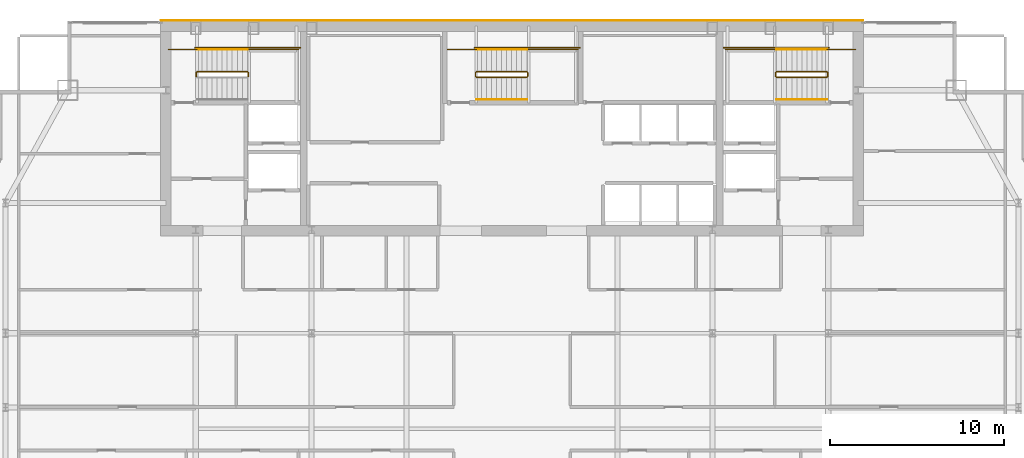
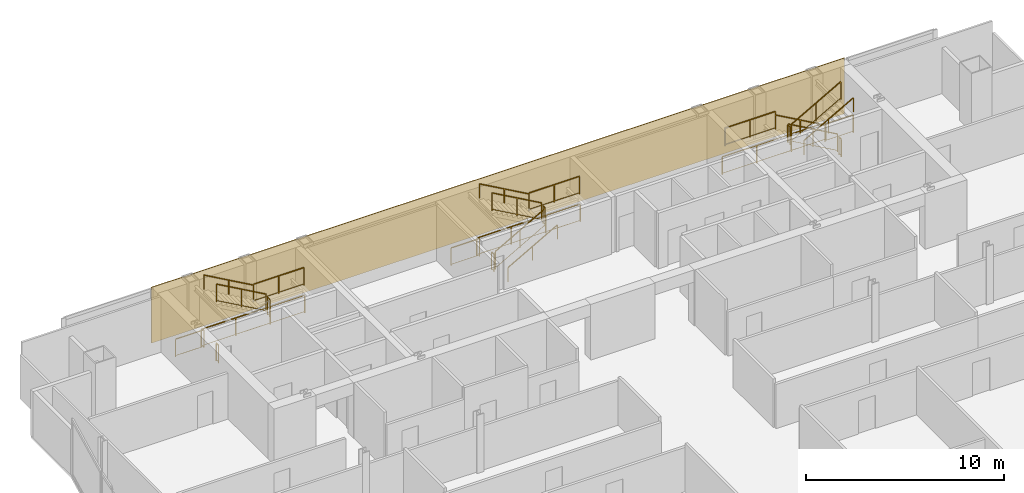
# One storey, part 30 of 30: 25 railings, 1 covering.
"""IFC4 building model written with IfcOpenShell, lengths in metres."""

import ifcopenshell
import ifcopenshell.guid

model = None  # the IFC model being written
_history = None  # IfcOwnerHistory: only IFC2X3 demands one
_inside = {}  # id of a spatial element -> (the spatial element, [elements in it])
_under = {}  # id of a project, library or spatial element -> (it, [spatial elements below it])
_declared = {}  # id of a project -> (the project, [libraries it declares])
_typed = {}  # id of a type object -> (the type object, [elements of that type])
_made_of = {}  # id of a material, layer set ... -> (it, [elements and type objects made of it])


def new_model(schema):
    """Start an empty IFC model of exactly this schema.

    Asked for "IFC4X3", IfcOpenShell would pick the latest addendum, in which some entities
    have other attributes; the version numbers below select the first issue.
    IFC2X3 requires an IfcOwnerHistory on every rooted entity: one is made here for all.
    """
    global model, _history
    if schema == "IFC4X3":
        model = ifcopenshell.file(schema_version=(4, 3, 0, 0))
    else:
        model = ifcopenshell.file(schema=schema)
    _inside.clear()
    _under.clear()
    _declared.clear()
    _typed.clear()
    _made_of.clear()
    _history = None
    if model.schema == "IFC2X3":
        org = make("IfcOrganization", Name="unknown")
        user = make(
            "IfcPersonAndOrganization",
            ThePerson=make("IfcPerson", FamilyName="unknown"),
            TheOrganization=org,
        )
        app = make(
            "IfcApplication",
            ApplicationDeveloper=org,
            Version="unknown",
            ApplicationFullName="unknown",
            ApplicationIdentifier="unknown",
        )
        _history = make(
            "IfcOwnerHistory",
            OwningUser=user,
            OwningApplication=app,
            ChangeAction="ADDED",
            CreationDate=0,
        )
    return model


def make(cls, **values):
    """One entity of the class cls with the attributes given. An attribute that is None is left unset."""
    return model.create_entity(
        cls, **{name: value for name, value in values.items() if value is not None}
    )


def rooted(cls, **values):
    """An entity with a GlobalId (a new one), such as an element, a storey or a relation."""
    return make(cls, GlobalId=ifcopenshell.guid.new(), OwnerHistory=_history, **values)


def si_unit(unit_type, name, prefix=None):
    """IfcSIUnit, for example si_unit("LENGTHUNIT", "METRE", prefix="MILLI")."""
    return make("IfcSIUnit", UnitType=unit_type, Prefix=prefix, Name=name)


def assignment(units):
    """IfcUnitAssignment: the units of a project."""
    return None if units is None else make("IfcUnitAssignment", Units=units)


def point(xyz):
    """IfcCartesianPoint."""
    return None if xyz is None else make("IfcCartesianPoint", Coordinates=xyz)


def direction(xyz):
    """IfcDirection."""
    return None if xyz is None else make("IfcDirection", DirectionRatios=xyz)


def frame(location, z_axis=None, x_axis=None):
    """IfcAxis2Placement3D, a coordinate frame: its origin and axes. An axis left out is left unset."""
    return make(
        "IfcAxis2Placement3D",
        Location=point(location),
        Axis=direction(z_axis),
        RefDirection=direction(x_axis),
    )


def frame_2d(location, x_axis=None):
    """IfcAxis2Placement2D, a coordinate frame in the plane: its origin and x axis."""
    return make(
        "IfcAxis2Placement2D", Location=point(location), RefDirection=direction(x_axis)
    )


def origin():
    """The frame at (0, 0, 0) with its axes left unset."""
    return frame((0.0, 0.0, 0.0))


def origin_2d():
    """The frame at (0, 0) in the plane with its x axis left unset."""
    return frame_2d((0.0, 0.0))


def place(relative_to, where):
    """IfcLocalPlacement: puts the frame where relative to a parent placement (None: the world)."""
    return make(
        "IfcLocalPlacement", PlacementRelTo=relative_to, RelativePlacement=where
    )


def context(
    kind, dimensions, precision=None, world=None, true_north=None, identifier=None
):
    """IfcGeometricRepresentationContext, for example the 3D "Model" context."""
    return make(
        "IfcGeometricRepresentationContext",
        ContextIdentifier=identifier,
        ContextType=kind,
        CoordinateSpaceDimension=dimensions,
        Precision=precision,
        WorldCoordinateSystem=world,
        TrueNorth=true_north,
    )


def subcontext(parent, identifier, kind, view, scale=None):
    """IfcGeometricRepresentationSubContext, for example "Body" below "Model"."""
    return make(
        "IfcGeometricRepresentationSubContext",
        ContextIdentifier=identifier,
        ContextType=kind,
        ParentContext=parent,
        TargetScale=scale,
        TargetView=view,
    )


def project(units=None, contexts=None):
    """IfcProject with its units and contexts."""
    return rooted(
        "IfcProject",
        Name="project",
        RepresentationContexts=contexts,
        UnitsInContext=assignment(units),
    )


def spatial(cls, under=None, at=None, **own):
    """A site, building, storey or space (cls), placed at a placement, below another one or the project."""
    s = rooted(cls, ObjectPlacement=at, **own)
    if under is not None:
        _under.setdefault(under.id(), (under, []))[1].append(s)
    return s


def polyline(points):
    """IfcPolyline through the points."""
    return make("IfcPolyline", Points=[point(p) for p in points])


def profile(cls, at=None, kind="AREA", **sizes):
    """A parametric profile (cls). Its sizes go by their IFC names, for example OverallWidth=200.0."""
    return make(cls, ProfileType=kind, Position=at, **sizes)


def rectangle(**sizes):
    """IfcRectangleProfileDef."""
    return profile("IfcRectangleProfileDef", **sizes)


def outline(outer, holes=None, kind="AREA"):
    """IfcArbitraryClosedProfileDef: a profile drawn as a closed curve; with holes, ...WithVoids."""
    if holes is None:
        return make("IfcArbitraryClosedProfileDef", ProfileType=kind, OuterCurve=outer)
    return make(
        "IfcArbitraryProfileDefWithVoids",
        ProfileType=kind,
        OuterCurve=outer,
        InnerCurves=holes,
    )


def extrude(swept, where, along, depth):
    """IfcExtrudedAreaSolid: the profile swept, set in the frame where, extruded along a direction by depth."""
    return make(
        "IfcExtrudedAreaSolid",
        SweptArea=swept,
        Position=where,
        ExtrudedDirection=direction(along),
        Depth=depth,
    )


def shape(context_of_items, identifier, shape_type, items):
    """IfcShapeRepresentation: the items that make up one representation, for example the "Body"."""
    return make(
        "IfcShapeRepresentation",
        ContextOfItems=context_of_items,
        RepresentationIdentifier=identifier,
        RepresentationType=shape_type,
        Items=items,
    )


def material(Name=None, Category=None):
    """IfcMaterial."""
    return make("IfcMaterial", Name=Name, Category=Category)


def layer(
    of_material, thickness, ventilated=None, Name=None, Category=None, Priority=None
):
    """IfcMaterialLayer: one layer of a wall or slab, of a material (None: an air gap)."""
    return make(
        "IfcMaterialLayer",
        Material=of_material,
        LayerThickness=thickness,
        IsVentilated=ventilated,
        Name=Name,
        Category=Category,
        Priority=Priority,
    )


def layer_set(layers, Name=None):
    """IfcMaterialLayerSet."""
    return make("IfcMaterialLayerSet", MaterialLayers=layers, LayerSetName=Name)


def made_of(thing, what):
    """Note that an element or type object is made of a material, layer set ...; save() writes the relation."""
    if what is not None:
        _made_of.setdefault(what.id(), (what, []))[1].append(thing)
    return thing


def type_object(cls, material=None, **own):
    """A type object (cls), such as IfcWallType, which elements share."""
    return made_of(rooted(cls, **own), material)


def element(
    cls,
    number,
    at=None,
    inside=None,
    cuts=None,
    type_object=None,
    material=None,
    context=None,
    identifier="Body",
    shape_type=None,
    held_by="IfcProductDefinitionShape",
    body=None,
    shapes=None,
    **own,
):
    """One element of the class cls, such as IfcWall. Its Tag is "e" and its number.

    at: its placement. inside: the storey or other place that contains it. cuts: it is an
    opening in that element (IfcRelVoidsElement). A single representation is given by context,
    identifier, shape_type and body (its items); several are given by shapes. held_by: the class
    of the entity that holds the representations. save() writes the other relations.
    """
    e = rooted(cls, Tag="e%d" % number, ObjectPlacement=at, **own)
    if body is not None:
        shapes = [shape(context, identifier, shape_type, body)]
    if shapes is not None:
        e.Representation = make(held_by, Representations=shapes)
    if inside is not None:
        _inside.setdefault(inside.id(), (inside, []))[1].append(e)
    if cuts is not None:
        rooted(
            "IfcRelVoidsElement", RelatingBuildingElement=cuts, RelatedOpeningElement=e
        )
    if type_object is not None:
        _typed.setdefault(type_object.id(), (type_object, []))[1].append(e)
    return made_of(e, material)


def aggregate(whole, parts):
    """IfcRelAggregates: a whole, such as a stair, and the parts it consists of."""
    return rooted("IfcRelAggregates", RelatingObject=whole, RelatedObjects=parts)


def save(model, path):
    """Write the relations noted so far, then the file.

    IfcRelAggregates (storeys below a building ...), IfcRelContainedInSpatialStructure (elements
    in a storey), IfcRelDefinesByType, IfcRelAssociatesMaterial and IfcRelDeclares: one each for
    every whole, place, type object, material and project.
    """
    for whole, parts in _under.values():
        aggregate(whole, parts)
    for where, things in _inside.values():
        rooted(
            "IfcRelContainedInSpatialStructure",
            RelatedElements=things,
            RelatingStructure=where,
        )
    for kind, things in _typed.values():
        rooted("IfcRelDefinesByType", RelatedObjects=things, RelatingType=kind)
    for what, things in _made_of.values():
        rooted("IfcRelAssociatesMaterial", RelatedObjects=things, RelatingMaterial=what)
    for by, libraries in _declared.values():
        rooted("IfcRelDeclares", RelatingContext=by, RelatedDefinitions=libraries)
    model.write(path)


model = new_model("IFC4")

# Units and contexts
model_context = context("Model", 3, precision=1e-05, world=origin(), true_north=direction((0.0, 1.0)))
body_context = subcontext(model_context, "Body", "Model", "MODEL_VIEW")
ifc_project = project(units=[si_unit("LENGTHUNIT", "METRE"), si_unit("AREAUNIT", "SQUARE_METRE"), si_unit("VOLUMEUNIT", "CUBIC_METRE"), si_unit("PLANEANGLEUNIT", "RADIAN"), si_unit("MASSUNIT", "GRAM", prefix="KILO")], contexts=[model_context])

# Site, building, storey
site_placement = place(None, origin())
site = spatial("IfcSite", under=ifc_project, at=site_placement, CompositionType="ELEMENT")
building_placement = place(site_placement, origin())
building = spatial("IfcBuilding", under=site, at=building_placement, Name="Khoronbel Lancet Exchange", CompositionType="ELEMENT")
storey_placement = place(building_placement, frame((0.0, 0.0, 213.800048828125)))
storey = spatial("IfcBuildingStorey", under=building, at=storey_placement, Name="L54", CompositionType="ELEMENT", Elevation=213.800048828125)

# Covering
ifc_material_1 = material(Name="Honed Egyptian Limestone & Bronze Rainscreen", Category="masonry")
ifc_layer = layer(ifc_material_1, 0.050048828125, Name="Honed Egyptian Limestone & Bronze Rainscreen")
ifc_layer_set = layer_set([ifc_layer], Name="Honed Egyptian Limestone & Bronze Rainscreen")
covering_type = type_object("IfcCoveringType", Name="COV-CLAD1", PredefinedType="CLADDING", material=ifc_layer_set)
covering_placement = place(storey_placement, origin())
element("IfcCovering", 1, at=covering_placement, inside=storey, type_object=covering_type, Name="Level L54 north rear-core stone and bronze rainscreen cladding", PredefinedType="CLADDING", context=body_context, shape_type="SweptSolid", body=[
    extrude(outline(polyline([(16.199951171875, 53.699951171875), (56.699951171875, 53.699951171875), (56.699951171875, 53.75), (16.199951171875, 53.75), (16.199951171875, 53.699951171875)])), origin(), (0.0, 0.0, 1.0), 3.43994140625),
])

# Railings
ifc_material_2 = material(Name="Painted Steel Balustrade", Category="steel")
railing_type_1 = type_object("IfcRailingType", Name="RL-STG110", PredefinedType="GUARDRAIL", material=ifc_material_2)
railing_1_placement = place(storey_placement, frame((21.25, 50.5, 1.800048828125)))
element("IfcRailing", 2, at=railing_1_placement, inside=storey, type_object=railing_type_1, Name="L54 ST1 stair guard 2", PredefinedType="GUARDRAIL", context=body_context, shape_type="SweptSolid", body=[
    extrude(rectangle(XDim=0.048095703125, YDim=0.048095703125, at=origin_2d()), frame((0.0, 0.0, 1.09619140625), z_axis=(0.0, 1.0, 0.0), x_axis=(-1.0, 0.0, 0.0)), (0.0, 0.0, 1.0), 0.219970703125),
    extrude(rectangle(XDim=0.02392578125, YDim=0.02392578125, at=origin_2d()), frame((0.0, 0.0, 0.080078125), z_axis=(0.0, 1.0, 0.0), x_axis=(-1.0, 0.0, 0.0)), (0.0, 0.0, 1.0), 0.219970703125),
    extrude(rectangle(XDim=0.0419921875, YDim=0.0419921875, at=origin_2d()), origin(), (0.0, 0.0, 1.0), 1.072021484375),
    extrude(rectangle(XDim=0.0419921875, YDim=0.0419921875, at=origin_2d()), frame((0.0, 0.219970703125, 0.0)), (0.0, 0.0, 1.0), 1.072021484375),
])
railing_2_placement = place(storey_placement, frame((21.199951171875, 52.050048828125, 1.800048828125)))
element("IfcRailing", 3, at=railing_2_placement, inside=storey, type_object=railing_type_1, Name="L54 ST1 stair guard 3", PredefinedType="GUARDRAIL", context=body_context, shape_type="SweptSolid", body=[
    extrude(rectangle(XDim=0.048095703125, YDim=0.048095703125, at=origin_2d()), frame((0.0, 0.0, 1.09619140625), z_axis=(1.0, 0.0, 0.0), x_axis=(0.0, 1.0, 0.0)), (0.0, 0.0, 1.0), 2.949951171875),
    extrude(rectangle(XDim=0.02392578125, YDim=0.02392578125, at=origin_2d()), frame((0.0, 0.0, 0.080078125), z_axis=(1.0, 0.0, 0.0), x_axis=(0.0, 1.0, 0.0)), (0.0, 0.0, 1.0), 2.949951171875),
    extrude(rectangle(XDim=0.0419921875, YDim=0.0419921875, at=origin_2d()), origin(), (0.0, 0.0, 1.0), 1.072021484375),
    extrude(rectangle(XDim=0.0419921875, YDim=0.0419921875, at=origin_2d()), frame((1.47509765625, 0.0, 0.0)), (0.0, 0.0, 1.0), 1.072021484375),
    extrude(rectangle(XDim=0.0419921875, YDim=0.0419921875, at=origin_2d()), frame((2.949951171875, 0.0, 0.0)), (0.0, 0.0, 1.0), 1.072021484375),
])
railing_3_placement = place(storey_placement, frame((21.199951171875, 50.77001953125, 1.963623046875)))
element("IfcRailing", 4, at=railing_3_placement, inside=storey, type_object=railing_type_1, Name="L54 ST1 stair guard 4", PredefinedType="GUARDRAIL", context=body_context, shape_type="SweptSolid", body=[
    extrude(rectangle(XDim=0.048095703125, YDim=0.048095703125, at=origin_2d()), frame((0.0, 0.0, 1.09619140625), z_axis=(-0.870928581787, 0.0, 0.491409610636), x_axis=(0.0, -1.0, 0.0)), (0.0, 0.0, 1.0), 3.32958984375),
    extrude(rectangle(XDim=0.02392578125, YDim=0.02392578125, at=origin_2d()), frame((0.0, 0.0, 0.080078125), z_axis=(-0.870928581787, 0.0, 0.491409610636), x_axis=(0.0, -1.0, 0.0)), (0.0, 0.0, 1.0), 3.32958984375),
    extrude(rectangle(XDim=0.0419921875, YDim=0.0419921875, at=origin_2d()), origin(), (0.0, 0.0, 1.0), 1.072021484375),
    extrude(rectangle(XDim=0.0419921875, YDim=0.0419921875, at=origin_2d()), frame((-1.449951171875, 0.0, 0.818115234375)), (0.0, 0.0, 1.0), 1.072021484375),
    extrude(rectangle(XDim=0.0419921875, YDim=0.0419921875, at=origin_2d()), frame((-2.89990234375, 0.0, 1.63623046875)), (0.0, 0.0, 1.0), 1.072021484375),
])
railing_4_placement = place(storey_placement, frame((18.25, 50.5, 0.0)))
element("IfcRailing", 5, at=railing_4_placement, inside=storey, type_object=railing_type_1, Name="L54 ST1 stair guard 5", PredefinedType="GUARDRAIL", context=body_context, shape_type="SweptSolid", body=[
    extrude(rectangle(XDim=0.048095703125, YDim=0.048095703125, at=origin_2d()), frame((0.0, 0.0, 1.09619140625), z_axis=(0.0, 1.0, 0.0), x_axis=(-1.0, 0.0, 0.0)), (0.0, 0.0, 1.0), 0.219970703125),
    extrude(rectangle(XDim=0.02392578125, YDim=0.02392578125, at=origin_2d()), frame((0.0, 0.0, 0.080078125), z_axis=(0.0, 1.0, 0.0), x_axis=(-1.0, 0.0, 0.0)), (0.0, 0.0, 1.0), 0.219970703125),
    extrude(rectangle(XDim=0.0419921875, YDim=0.0419921875, at=origin_2d()), origin(), (0.0, 0.0, 1.0), 1.072021484375),
    extrude(rectangle(XDim=0.0419921875, YDim=0.0419921875, at=origin_2d()), frame((0.0, 0.219970703125, 0.0)), (0.0, 0.0, 1.0), 1.072021484375),
])
railing_5_placement = place(storey_placement, frame((16.64990234375, 52.050048828125, 0.0)))
element("IfcRailing", 6, at=railing_5_placement, inside=storey, type_object=railing_type_1, Name="L54 ST1 stair guard 6", PredefinedType="GUARDRAIL", context=body_context, shape_type="SweptSolid", body=[
    extrude(rectangle(XDim=0.048095703125, YDim=0.048095703125, at=origin_2d()), frame((0.0, 0.0, 1.09619140625), z_axis=(1.0, 0.0, 0.0), x_axis=(0.0, 1.0, 0.0)), (0.0, 0.0, 1.0), 1.650146484375),
    extrude(rectangle(XDim=0.02392578125, YDim=0.02392578125, at=origin_2d()), frame((0.0, 0.0, 0.080078125), z_axis=(1.0, 0.0, 0.0), x_axis=(0.0, 1.0, 0.0)), (0.0, 0.0, 1.0), 1.650146484375),
    extrude(rectangle(XDim=0.0419921875, YDim=0.0419921875, at=origin_2d()), origin(), (0.0, 0.0, 1.0), 1.072021484375),
    extrude(rectangle(XDim=0.0419921875, YDim=0.0419921875, at=origin_2d()), frame((1.650146484375, 0.0, 0.0)), (0.0, 0.0, 1.0), 1.072021484375),
])
railing_6_placement = place(storey_placement, frame((18.199951171875, 52.14990234375, 0.0)))
element("IfcRailing", 7, at=railing_6_placement, inside=storey, type_object=railing_type_1, Name="L54 ST1 stair guard 7", PredefinedType="GUARDRAIL", context=body_context, shape_type="SweptSolid", body=[
    extrude(rectangle(XDim=0.048095703125, YDim=0.048095703125, at=origin_2d()), frame((0.0, 0.0, 1.09619140625), z_axis=(1.0, 0.0, 0.0), x_axis=(0.0, 1.0, 0.0)), (0.0, 0.0, 1.0), 6.050048828125),
    extrude(rectangle(XDim=0.02392578125, YDim=0.02392578125, at=origin_2d()), frame((0.0, 0.0, 0.080078125), z_axis=(1.0, 0.0, 0.0), x_axis=(0.0, 1.0, 0.0)), (0.0, 0.0, 1.0), 6.050048828125),
    extrude(rectangle(XDim=0.0419921875, YDim=0.0419921875, at=origin_2d()), origin(), (0.0, 0.0, 1.0), 1.072021484375),
    extrude(rectangle(XDim=0.0419921875, YDim=0.0419921875, at=origin_2d()), frame((2.0166015625, 0.0, 0.0)), (0.0, 0.0, 1.0), 1.072021484375),
    extrude(rectangle(XDim=0.0419921875, YDim=0.0419921875, at=origin_2d()), frame((4.033447265625, 0.0, 0.0)), (0.0, 0.0, 1.0), 1.072021484375),
    extrude(rectangle(XDim=0.0419921875, YDim=0.0419921875, at=origin_2d()), frame((6.050048828125, 0.0, 0.0)), (0.0, 0.0, 1.0), 1.072021484375),
])
railing_7_placement = place(storey_placement, frame((54.60009765625, 50.77001953125, 0.16357421875)))
element("IfcRailing", 8, at=railing_7_placement, inside=storey, type_object=railing_type_1, Name="L54 ST2 stair guard 1", PredefinedType="GUARDRAIL", context=body_context, shape_type="SweptSolid", body=[
    extrude(rectangle(XDim=0.048095703125, YDim=0.048095703125, at=origin_2d()), frame((0.0, 0.0, 1.09619140625), z_axis=(-0.870914908162, 0.0, 0.491433843708), x_axis=(0.0, -1.0, 0.0)), (0.0, 0.0, 1.0), 3.330078125),
    extrude(rectangle(XDim=0.02392578125, YDim=0.02392578125, at=origin_2d()), frame((0.0, 0.0, 0.080078125), z_axis=(-0.870914908162, 0.0, 0.491433843708), x_axis=(0.0, -1.0, 0.0)), (0.0, 0.0, 1.0), 3.330078125),
    extrude(rectangle(XDim=0.0419921875, YDim=0.0419921875, at=origin_2d()), origin(), (0.0, 0.0, 1.0), 1.072021484375),
    extrude(rectangle(XDim=0.0419921875, YDim=0.0419921875, at=origin_2d()), frame((-1.4501953125, 0.0, 0.818359375)), (0.0, 0.0, 1.0), 1.072021484375),
    extrude(rectangle(XDim=0.0419921875, YDim=0.0419921875, at=origin_2d()), frame((-2.900146484375, 0.0, 1.636474609375)), (0.0, 0.0, 1.0), 1.072021484375),
])
railing_8_placement = place(storey_placement, frame((51.64990234375, 50.719970703125, 1.800048828125)))
element("IfcRailing", 9, at=railing_8_placement, inside=storey, type_object=railing_type_1, Name="L54 ST2 stair guard 2", PredefinedType="GUARDRAIL", context=body_context, shape_type="SweptSolid", body=[
    extrude(rectangle(XDim=0.048095703125, YDim=0.048095703125, at=origin_2d()), frame((0.0, 0.0, 1.09619140625), z_axis=(0.0, -1.0, 0.0), x_axis=(1.0, 0.0, 0.0)), (0.0, 0.0, 1.0), 0.219970703125),
    extrude(rectangle(XDim=0.02392578125, YDim=0.02392578125, at=origin_2d()), frame((0.0, 0.0, 0.080078125), z_axis=(0.0, -1.0, 0.0), x_axis=(1.0, 0.0, 0.0)), (0.0, 0.0, 1.0), 0.219970703125),
    extrude(rectangle(XDim=0.0419921875, YDim=0.0419921875, at=origin_2d()), origin(), (0.0, 0.0, 1.0), 1.072021484375),
    extrude(rectangle(XDim=0.0419921875, YDim=0.0419921875, at=origin_2d()), frame((0.0, -0.219970703125, 0.0)), (0.0, 0.0, 1.0), 1.072021484375),
])
railing_9_placement = place(storey_placement, frame((51.699951171875, 52.050048828125, 1.800048828125)))
element("IfcRailing", 10, at=railing_9_placement, inside=storey, type_object=railing_type_1, Name="L54 ST2 stair guard 3", PredefinedType="GUARDRAIL", context=body_context, shape_type="SweptSolid", body=[
    extrude(rectangle(XDim=0.048095703125, YDim=0.048095703125, at=origin_2d()), frame((0.0, 0.0, 1.09619140625), z_axis=(-1.0, 0.0, 0.0), x_axis=(0.0, -1.0, 0.0)), (0.0, 0.0, 1.0), 2.949951171875),
    extrude(rectangle(XDim=0.02392578125, YDim=0.02392578125, at=origin_2d()), frame((0.0, 0.0, 0.080078125), z_axis=(-1.0, 0.0, 0.0), x_axis=(0.0, -1.0, 0.0)), (0.0, 0.0, 1.0), 2.949951171875),
    extrude(rectangle(XDim=0.0419921875, YDim=0.0419921875, at=origin_2d()), origin(), (0.0, 0.0, 1.0), 1.072021484375),
    extrude(rectangle(XDim=0.0419921875, YDim=0.0419921875, at=origin_2d()), frame((-1.47509765625, 0.0, 0.0)), (0.0, 0.0, 1.0), 1.072021484375),
    extrude(rectangle(XDim=0.0419921875, YDim=0.0419921875, at=origin_2d()), frame((-2.949951171875, 0.0, 0.0)), (0.0, 0.0, 1.0), 1.072021484375),
])
railing_10_placement = place(storey_placement, frame((51.699951171875, 50.449951171875, 1.963623046875)))
element("IfcRailing", 11, at=railing_10_placement, inside=storey, type_object=railing_type_1, Name="L54 ST2 stair guard 4", PredefinedType="GUARDRAIL", context=body_context, shape_type="SweptSolid", body=[
    extrude(rectangle(XDim=0.048095703125, YDim=0.048095703125, at=origin_2d()), frame((0.0, 0.0, 1.09619140625), z_axis=(0.870946286338, 0.0, 0.49137823142), x_axis=(0.0, 1.0, 0.0)), (0.0, 0.0, 1.0), 3.329833984375),
    extrude(rectangle(XDim=0.02392578125, YDim=0.02392578125, at=origin_2d()), frame((0.0, 0.0, 0.080078125), z_axis=(0.870946286338, 0.0, 0.49137823142), x_axis=(0.0, 1.0, 0.0)), (0.0, 0.0, 1.0), 3.329833984375),
    extrude(rectangle(XDim=0.0419921875, YDim=0.0419921875, at=origin_2d()), origin(), (0.0, 0.0, 1.0), 1.072021484375),
    extrude(rectangle(XDim=0.0419921875, YDim=0.0419921875, at=origin_2d()), frame((1.4501953125, 0.0, 0.818115234375)), (0.0, 0.0, 1.0), 1.072021484375),
    extrude(rectangle(XDim=0.0419921875, YDim=0.0419921875, at=origin_2d()), frame((2.900146484375, 0.0, 1.63623046875)), (0.0, 0.0, 1.0), 1.072021484375),
])
railing_11_placement = place(storey_placement, frame((54.64990234375, 50.719970703125, 0.0)))
element("IfcRailing", 12, at=railing_11_placement, inside=storey, type_object=railing_type_1, Name="L54 ST2 stair guard 5", PredefinedType="GUARDRAIL", context=body_context, shape_type="SweptSolid", body=[
    extrude(rectangle(XDim=0.048095703125, YDim=0.048095703125, at=origin_2d()), frame((0.0, 0.0, 1.09619140625), z_axis=(0.0, -1.0, 0.0), x_axis=(1.0, 0.0, 0.0)), (0.0, 0.0, 1.0), 0.219970703125),
    extrude(rectangle(XDim=0.02392578125, YDim=0.02392578125, at=origin_2d()), frame((0.0, 0.0, 0.080078125), z_axis=(0.0, -1.0, 0.0), x_axis=(1.0, 0.0, 0.0)), (0.0, 0.0, 1.0), 0.219970703125),
    extrude(rectangle(XDim=0.0419921875, YDim=0.0419921875, at=origin_2d()), origin(), (0.0, 0.0, 1.0), 1.072021484375),
    extrude(rectangle(XDim=0.0419921875, YDim=0.0419921875, at=origin_2d()), frame((0.0, -0.219970703125, 0.0)), (0.0, 0.0, 1.0), 1.072021484375),
])
railing_12_placement = place(storey_placement, frame((56.25, 52.050048828125, 0.0)))
element("IfcRailing", 13, at=railing_12_placement, inside=storey, type_object=railing_type_1, Name="L54 ST2 stair guard 6", PredefinedType="GUARDRAIL", context=body_context, shape_type="SweptSolid", body=[
    extrude(rectangle(XDim=0.048095703125, YDim=0.048095703125, at=origin_2d()), frame((0.0, 0.0, 1.09619140625), z_axis=(-1.0, 0.0, 0.0), x_axis=(0.0, -1.0, 0.0)), (0.0, 0.0, 1.0), 1.64990234375),
    extrude(rectangle(XDim=0.02392578125, YDim=0.02392578125, at=origin_2d()), frame((0.0, 0.0, 0.080078125), z_axis=(-1.0, 0.0, 0.0), x_axis=(0.0, -1.0, 0.0)), (0.0, 0.0, 1.0), 1.64990234375),
    extrude(rectangle(XDim=0.0419921875, YDim=0.0419921875, at=origin_2d()), origin(), (0.0, 0.0, 1.0), 1.072021484375),
    extrude(rectangle(XDim=0.0419921875, YDim=0.0419921875, at=origin_2d()), frame((-1.64990234375, 0.0, 0.0)), (0.0, 0.0, 1.0), 1.072021484375),
])
railing_13_placement = place(storey_placement, frame((54.699951171875, 52.14990234375, 0.0)))
element("IfcRailing", 14, at=railing_13_placement, inside=storey, type_object=railing_type_1, Name="L54 ST2 stair guard 7", PredefinedType="GUARDRAIL", context=body_context, shape_type="SweptSolid", body=[
    extrude(rectangle(XDim=0.048095703125, YDim=0.048095703125, at=origin_2d()), frame((0.0, 0.0, 1.09619140625), z_axis=(-1.0, 0.0, 0.0), x_axis=(0.0, -1.0, 0.0)), (0.0, 0.0, 1.0), 6.050048828125),
    extrude(rectangle(XDim=0.02392578125, YDim=0.02392578125, at=origin_2d()), frame((0.0, 0.0, 0.080078125), z_axis=(-1.0, 0.0, 0.0), x_axis=(0.0, -1.0, 0.0)), (0.0, 0.0, 1.0), 6.050048828125),
    extrude(rectangle(XDim=0.0419921875, YDim=0.0419921875, at=origin_2d()), origin(), (0.0, 0.0, 1.0), 1.072021484375),
    extrude(rectangle(XDim=0.0419921875, YDim=0.0419921875, at=origin_2d()), frame((-2.0166015625, 0.0, 0.0)), (0.0, 0.0, 1.0), 1.072021484375),
    extrude(rectangle(XDim=0.0419921875, YDim=0.0419921875, at=origin_2d()), frame((-4.033447265625, 0.0, 0.0)), (0.0, 0.0, 1.0), 1.072021484375),
    extrude(rectangle(XDim=0.0419921875, YDim=0.0419921875, at=origin_2d()), frame((-6.050048828125, 0.0, 0.0)), (0.0, 0.0, 1.0), 1.072021484375),
])
railing_14_placement = place(storey_placement, frame((34.39990234375, 50.449951171875, 0.16357421875)))
element("IfcRailing", 15, at=railing_14_placement, inside=storey, type_object=railing_type_1, Name="L54 ST3 stair guard 1", PredefinedType="GUARDRAIL", context=body_context, shape_type="SweptSolid", body=[
    extrude(rectangle(XDim=0.048095703125, YDim=0.048095703125, at=origin_2d()), frame((0.0, 0.0, 1.09619140625), z_axis=(0.870914908162, 0.0, 0.491433843708), x_axis=(0.0, 1.0, 0.0)), (0.0, 0.0, 1.0), 3.330078125),
    extrude(rectangle(XDim=0.02392578125, YDim=0.02392578125, at=origin_2d()), frame((0.0, 0.0, 0.080078125), z_axis=(0.870914908162, 0.0, 0.491433843708), x_axis=(0.0, 1.0, 0.0)), (0.0, 0.0, 1.0), 3.330078125),
    extrude(rectangle(XDim=0.0419921875, YDim=0.0419921875, at=origin_2d()), origin(), (0.0, 0.0, 1.0), 1.072021484375),
    extrude(rectangle(XDim=0.0419921875, YDim=0.0419921875, at=origin_2d()), frame((1.4501953125, 0.0, 0.818359375)), (0.0, 0.0, 1.0), 1.072021484375),
    extrude(rectangle(XDim=0.0419921875, YDim=0.0419921875, at=origin_2d()), frame((2.900146484375, 0.0, 1.636474609375)), (0.0, 0.0, 1.0), 1.072021484375),
])
railing_15_placement = place(storey_placement, frame((37.35009765625, 50.5, 1.800048828125)))
element("IfcRailing", 16, at=railing_15_placement, inside=storey, type_object=railing_type_1, Name="L54 ST3 stair guard 2", PredefinedType="GUARDRAIL", context=body_context, shape_type="SweptSolid", body=[
    extrude(rectangle(XDim=0.048095703125, YDim=0.048095703125, at=origin_2d()), frame((0.0, 0.0, 1.09619140625), z_axis=(0.0, 1.0, 0.0), x_axis=(-1.0, 0.0, 0.0)), (0.0, 0.0, 1.0), 0.219970703125),
    extrude(rectangle(XDim=0.02392578125, YDim=0.02392578125, at=origin_2d()), frame((0.0, 0.0, 0.080078125), z_axis=(0.0, 1.0, 0.0), x_axis=(-1.0, 0.0, 0.0)), (0.0, 0.0, 1.0), 0.219970703125),
    extrude(rectangle(XDim=0.0419921875, YDim=0.0419921875, at=origin_2d()), origin(), (0.0, 0.0, 1.0), 1.072021484375),
    extrude(rectangle(XDim=0.0419921875, YDim=0.0419921875, at=origin_2d()), frame((0.0, 0.219970703125, 0.0)), (0.0, 0.0, 1.0), 1.072021484375),
])
railing_16_placement = place(storey_placement, frame((37.300048828125, 52.050048828125, 1.800048828125)))
element("IfcRailing", 17, at=railing_16_placement, inside=storey, type_object=railing_type_1, Name="L54 ST3 stair guard 3", PredefinedType="GUARDRAIL", context=body_context, shape_type="SweptSolid", body=[
    extrude(rectangle(XDim=0.048095703125, YDim=0.048095703125, at=origin_2d()), frame((0.0, 0.0, 1.09619140625), z_axis=(1.0, 0.0, 0.0), x_axis=(0.0, 1.0, 0.0)), (0.0, 0.0, 1.0), 2.949951171875),
    extrude(rectangle(XDim=0.02392578125, YDim=0.02392578125, at=origin_2d()), frame((0.0, 0.0, 0.080078125), z_axis=(1.0, 0.0, 0.0), x_axis=(0.0, 1.0, 0.0)), (0.0, 0.0, 1.0), 2.949951171875),
    extrude(rectangle(XDim=0.0419921875, YDim=0.0419921875, at=origin_2d()), origin(), (0.0, 0.0, 1.0), 1.072021484375),
    extrude(rectangle(XDim=0.0419921875, YDim=0.0419921875, at=origin_2d()), frame((1.47509765625, 0.0, 0.0)), (0.0, 0.0, 1.0), 1.072021484375),
    extrude(rectangle(XDim=0.0419921875, YDim=0.0419921875, at=origin_2d()), frame((2.949951171875, 0.0, 0.0)), (0.0, 0.0, 1.0), 1.072021484375),
])
railing_17_placement = place(storey_placement, frame((37.300048828125, 50.77001953125, 1.963623046875)))
element("IfcRailing", 18, at=railing_17_placement, inside=storey, type_object=railing_type_1, Name="L54 ST3 stair guard 4", PredefinedType="GUARDRAIL", context=body_context, shape_type="SweptSolid", body=[
    extrude(rectangle(XDim=0.048095703125, YDim=0.048095703125, at=origin_2d()), frame((0.0, 0.0, 1.09619140625), z_axis=(-0.870946286338, 0.0, 0.49137823142), x_axis=(0.0, -1.0, 0.0)), (0.0, 0.0, 1.0), 3.329833984375),
    extrude(rectangle(XDim=0.02392578125, YDim=0.02392578125, at=origin_2d()), frame((0.0, 0.0, 0.080078125), z_axis=(-0.870946286338, 0.0, 0.49137823142), x_axis=(0.0, -1.0, 0.0)), (0.0, 0.0, 1.0), 3.329833984375),
    extrude(rectangle(XDim=0.0419921875, YDim=0.0419921875, at=origin_2d()), origin(), (0.0, 0.0, 1.0), 1.072021484375),
    extrude(rectangle(XDim=0.0419921875, YDim=0.0419921875, at=origin_2d()), frame((-1.4501953125, 0.0, 0.818115234375)), (0.0, 0.0, 1.0), 1.072021484375),
    extrude(rectangle(XDim=0.0419921875, YDim=0.0419921875, at=origin_2d()), frame((-2.900146484375, 0.0, 1.63623046875)), (0.0, 0.0, 1.0), 1.072021484375),
])
railing_18_placement = place(storey_placement, frame((34.35009765625, 50.5, 0.0)))
element("IfcRailing", 19, at=railing_18_placement, inside=storey, type_object=railing_type_1, Name="L54 ST3 stair guard 5", PredefinedType="GUARDRAIL", context=body_context, shape_type="SweptSolid", body=[
    extrude(rectangle(XDim=0.048095703125, YDim=0.048095703125, at=origin_2d()), frame((0.0, 0.0, 1.09619140625), z_axis=(0.0, 1.0, 0.0), x_axis=(-1.0, 0.0, 0.0)), (0.0, 0.0, 1.0), 0.219970703125),
    extrude(rectangle(XDim=0.02392578125, YDim=0.02392578125, at=origin_2d()), frame((0.0, 0.0, 0.080078125), z_axis=(0.0, 1.0, 0.0), x_axis=(-1.0, 0.0, 0.0)), (0.0, 0.0, 1.0), 0.219970703125),
    extrude(rectangle(XDim=0.0419921875, YDim=0.0419921875, at=origin_2d()), origin(), (0.0, 0.0, 1.0), 1.072021484375),
    extrude(rectangle(XDim=0.0419921875, YDim=0.0419921875, at=origin_2d()), frame((0.0, 0.219970703125, 0.0)), (0.0, 0.0, 1.0), 1.072021484375),
])
railing_19_placement = place(storey_placement, frame((32.75, 52.050048828125, 0.0)))
element("IfcRailing", 20, at=railing_19_placement, inside=storey, type_object=railing_type_1, Name="L54 ST3 stair guard 6", PredefinedType="GUARDRAIL", context=body_context, shape_type="SweptSolid", body=[
    extrude(rectangle(XDim=0.048095703125, YDim=0.048095703125, at=origin_2d()), frame((0.0, 0.0, 1.09619140625), z_axis=(1.0, 0.0, 0.0), x_axis=(0.0, 1.0, 0.0)), (0.0, 0.0, 1.0), 1.64990234375),
    extrude(rectangle(XDim=0.02392578125, YDim=0.02392578125, at=origin_2d()), frame((0.0, 0.0, 0.080078125), z_axis=(1.0, 0.0, 0.0), x_axis=(0.0, 1.0, 0.0)), (0.0, 0.0, 1.0), 1.64990234375),
    extrude(rectangle(XDim=0.0419921875, YDim=0.0419921875, at=origin_2d()), origin(), (0.0, 0.0, 1.0), 1.072021484375),
    extrude(rectangle(XDim=0.0419921875, YDim=0.0419921875, at=origin_2d()), frame((1.64990234375, 0.0, 0.0)), (0.0, 0.0, 1.0), 1.072021484375),
])
railing_20_placement = place(storey_placement, frame((34.300048828125, 52.14990234375, 0.0)))
element("IfcRailing", 21, at=railing_20_placement, inside=storey, type_object=railing_type_1, Name="L54 ST3 stair guard 7", PredefinedType="GUARDRAIL", context=body_context, shape_type="SweptSolid", body=[
    extrude(rectangle(XDim=0.048095703125, YDim=0.048095703125, at=origin_2d()), frame((0.0, 0.0, 1.09619140625), z_axis=(1.0, 0.0, 0.0), x_axis=(0.0, 1.0, 0.0)), (0.0, 0.0, 1.0), 6.050048828125),
    extrude(rectangle(XDim=0.02392578125, YDim=0.02392578125, at=origin_2d()), frame((0.0, 0.0, 0.080078125), z_axis=(1.0, 0.0, 0.0), x_axis=(0.0, 1.0, 0.0)), (0.0, 0.0, 1.0), 6.050048828125),
    extrude(rectangle(XDim=0.0419921875, YDim=0.0419921875, at=origin_2d()), origin(), (0.0, 0.0, 1.0), 1.072021484375),
    extrude(rectangle(XDim=0.0419921875, YDim=0.0419921875, at=origin_2d()), frame((2.0166015625, 0.0, 0.0)), (0.0, 0.0, 1.0), 1.072021484375),
    extrude(rectangle(XDim=0.0419921875, YDim=0.0419921875, at=origin_2d()), frame((4.033447265625, 0.0, 0.0)), (0.0, 0.0, 1.0), 1.072021484375),
    extrude(rectangle(XDim=0.0419921875, YDim=0.0419921875, at=origin_2d()), frame((6.050048828125, 0.0, 0.0)), (0.0, 0.0, 1.0), 1.072021484375),
])
ifc_material_3 = material(Name="Brushed Stainless Steel 316", Category="steel")
railing_type_2 = type_object("IfcRailingType", Name="RL-STH92", PredefinedType="HANDRAIL", material=ifc_material_3)
railing_21_placement = place(storey_placement, frame((21.199951171875, 52.050048828125, 1.963623046875)))
element("IfcRailing", 22, at=railing_21_placement, inside=storey, type_object=railing_type_2, Name="L54 ST1 stair handrail 2", PredefinedType="HANDRAIL", context=body_context, shape_type="SweptSolid", body=[
    extrude(rectangle(XDim=0.048095703125, YDim=0.048095703125, at=origin_2d()), frame((0.0, 0.0, 0.8759765625), z_axis=(-0.870928581787, 0.0, 0.491409610636), x_axis=(0.0, -1.0, 0.0)), (0.0, 0.0, 1.0), 3.32958984375),
    extrude(rectangle(XDim=0.0419921875, YDim=0.0419921875, at=origin_2d()), origin(), (0.0, 0.0, 1.0), 0.851806640625),
    extrude(rectangle(XDim=0.0419921875, YDim=0.0419921875, at=origin_2d()), frame((-1.449951171875, 0.0, 0.818115234375)), (0.0, 0.0, 1.0), 0.851806640625),
    extrude(rectangle(XDim=0.0419921875, YDim=0.0419921875, at=origin_2d()), frame((-2.89990234375, 0.0, 1.63623046875)), (0.0, 0.0, 1.0), 0.851806640625),
])
railing_22_placement = place(storey_placement, frame((54.60009765625, 52.050048828125, 0.16357421875)))
element("IfcRailing", 23, at=railing_22_placement, inside=storey, type_object=railing_type_2, Name="L54 ST2 stair handrail 1", PredefinedType="HANDRAIL", context=body_context, shape_type="SweptSolid", body=[
    extrude(rectangle(XDim=0.048095703125, YDim=0.048095703125, at=origin_2d()), frame((0.0, 0.0, 0.8759765625), z_axis=(-0.870914908162, 0.0, 0.491433843708), x_axis=(0.0, -1.0, 0.0)), (0.0, 0.0, 1.0), 3.330078125),
    extrude(rectangle(XDim=0.0419921875, YDim=0.0419921875, at=origin_2d()), origin(), (0.0, 0.0, 1.0), 0.851806640625),
    extrude(rectangle(XDim=0.0419921875, YDim=0.0419921875, at=origin_2d()), frame((-1.4501953125, 0.0, 0.818359375)), (0.0, 0.0, 1.0), 0.851806640625),
    extrude(rectangle(XDim=0.0419921875, YDim=0.0419921875, at=origin_2d()), frame((-2.900146484375, 0.0, 1.636474609375)), (0.0, 0.0, 1.0), 0.851806640625),
])
railing_23_placement = place(storey_placement, frame((51.699951171875, 49.169921875, 1.963623046875)))
element("IfcRailing", 24, at=railing_23_placement, inside=storey, type_object=railing_type_2, Name="L54 ST2 stair handrail 2", PredefinedType="HANDRAIL", context=body_context, shape_type="SweptSolid", body=[
    extrude(rectangle(XDim=0.048095703125, YDim=0.048095703125, at=origin_2d()), frame((0.0, 0.0, 0.8759765625), z_axis=(0.870946286338, 0.0, 0.49137823142), x_axis=(0.0, 1.0, 0.0)), (0.0, 0.0, 1.0), 3.329833984375),
    extrude(rectangle(XDim=0.0419921875, YDim=0.0419921875, at=origin_2d()), origin(), (0.0, 0.0, 1.0), 0.851806640625),
    extrude(rectangle(XDim=0.0419921875, YDim=0.0419921875, at=origin_2d()), frame((1.4501953125, 0.0, 0.818115234375)), (0.0, 0.0, 1.0), 0.851806640625),
    extrude(rectangle(XDim=0.0419921875, YDim=0.0419921875, at=origin_2d()), frame((2.900146484375, 0.0, 1.63623046875)), (0.0, 0.0, 1.0), 0.851806640625),
])
railing_24_placement = place(storey_placement, frame((34.39990234375, 49.169921875, 0.16357421875)))
element("IfcRailing", 25, at=railing_24_placement, inside=storey, type_object=railing_type_2, Name="L54 ST3 stair handrail 1", PredefinedType="HANDRAIL", context=body_context, shape_type="SweptSolid", body=[
    extrude(rectangle(XDim=0.048095703125, YDim=0.048095703125, at=origin_2d()), frame((0.0, 0.0, 0.8759765625), z_axis=(0.870914908162, 0.0, 0.491433843708), x_axis=(0.0, 1.0, 0.0)), (0.0, 0.0, 1.0), 3.330078125),
    extrude(rectangle(XDim=0.0419921875, YDim=0.0419921875, at=origin_2d()), origin(), (0.0, 0.0, 1.0), 0.851806640625),
    extrude(rectangle(XDim=0.0419921875, YDim=0.0419921875, at=origin_2d()), frame((1.4501953125, 0.0, 0.818359375)), (0.0, 0.0, 1.0), 0.851806640625),
    extrude(rectangle(XDim=0.0419921875, YDim=0.0419921875, at=origin_2d()), frame((2.900146484375, 0.0, 1.636474609375)), (0.0, 0.0, 1.0), 0.851806640625),
])
railing_25_placement = place(storey_placement, frame((37.300048828125, 52.050048828125, 1.963623046875)))
element("IfcRailing", 26, at=railing_25_placement, inside=storey, type_object=railing_type_2, Name="L54 ST3 stair handrail 2", PredefinedType="HANDRAIL", context=body_context, shape_type="SweptSolid", body=[
    extrude(rectangle(XDim=0.048095703125, YDim=0.048095703125, at=origin_2d()), frame((0.0, 0.0, 0.8759765625), z_axis=(-0.870946286338, 0.0, 0.49137823142), x_axis=(0.0, -1.0, 0.0)), (0.0, 0.0, 1.0), 3.329833984375),
    extrude(rectangle(XDim=0.0419921875, YDim=0.0419921875, at=origin_2d()), origin(), (0.0, 0.0, 1.0), 0.851806640625),
    extrude(rectangle(XDim=0.0419921875, YDim=0.0419921875, at=origin_2d()), frame((-1.4501953125, 0.0, 0.818115234375)), (0.0, 0.0, 1.0), 0.851806640625),
    extrude(rectangle(XDim=0.0419921875, YDim=0.0419921875, at=origin_2d()), frame((-2.900146484375, 0.0, 1.63623046875)), (0.0, 0.0, 1.0), 0.851806640625),
])

save(model, "model.ifc")
